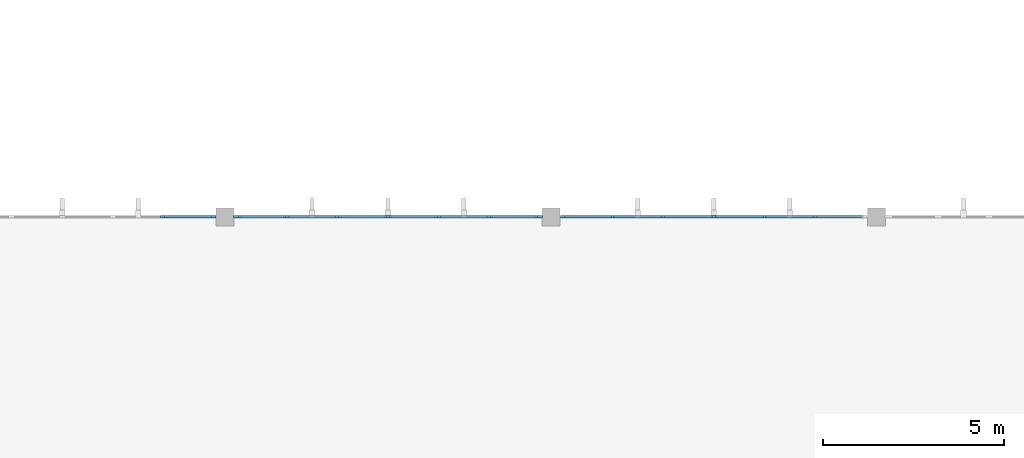
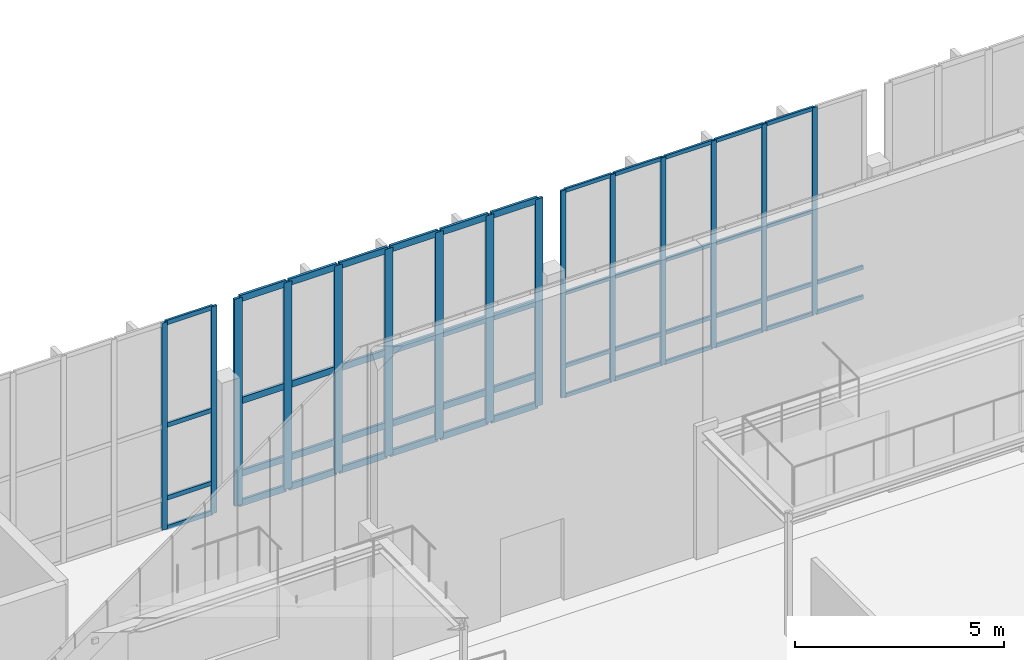
# One storey, part 25 of 67: 65 members, 3 elements without a shape of their own.
"""IFC4 building model written with IfcOpenShell, lengths in metres."""

from ifc_helpers import new_model, si_unit, direction, frame, origin, origin_2d, place, context, subcontext, project, spatial, rectangle, extrude, material, material_profile, profile_set, type_object, element, aggregate, save


model = new_model("IFC4")

# Units and contexts
model_context = context("Model", 3, precision=1e-05, world=origin(), true_north=direction((0.0, 1.0)))
body_context = subcontext(model_context, "Body", "Model", "MODEL_VIEW")
ifc_project = project(units=[si_unit("LENGTHUNIT", "METRE"), si_unit("AREAUNIT", "SQUARE_METRE"), si_unit("VOLUMEUNIT", "CUBIC_METRE"), si_unit("PLANEANGLEUNIT", "RADIAN"), si_unit("MASSUNIT", "GRAM", prefix="KILO")], contexts=[model_context])

# Site, building, storey
site_placement = place(None, origin())
site = spatial("IfcSite", under=ifc_project, at=site_placement, CompositionType="ELEMENT")
building_placement = place(site_placement, origin())
building = spatial("IfcBuilding", under=site, at=building_placement, Name="Tizgana Railside Sports Hall", CompositionType="ELEMENT")
storey_placement = place(building_placement, frame((0.0, 0.0, 12.0)))
storey = spatial("IfcBuildingStorey", under=building, at=storey_placement, Name="L02", CompositionType="ELEMENT", Elevation=12.0)

# Curtain wall, members
ifc_material_1 = material(Name="Anodised aluminium and glass", Category="aluminium")
curtain_wall_type_1 = type_object("IfcCurtainWallType", Name="Unitised Curtain Wall Concourse 1500", PredefinedType="NOTDEFINED", material=ifc_material_1)
curtain_wall_1_placement = place(storey_placement, origin())
curtain_wall_1 = element("IfcCurtainWall", 1, at=curtain_wall_1_placement, inside=storey, type_object=curtain_wall_type_1, Name="L02 Curtain Wall CW-0024", PredefinedType="NOTDEFINED")
ifc_material_2 = material(Name="Anodised aluminium", Category="aluminium")
ifc_material_profile_1 = material_profile(ifc_material_2, rectangle(XDim=0.06005859375, YDim=0.139892578125, at=origin_2d()), Name="Mullion 60x140")
ifc_profile_set_1 = profile_set([ifc_material_profile_1], Name="Anodised aluminium")
member_type_1 = type_object("IfcMemberType", Name="Mullion 60x140", PredefinedType="MULLION", material=ifc_profile_set_1)
member_1_placement = place(storey_placement, frame((107.135009765625, 80.39990234375, 0.0), z_axis=(0.0, 0.0, 1.0), x_axis=(0.0, 1.0, 0.0)))
member_1 = element("IfcMember", 2, at=member_1_placement, type_object=member_type_1, Name="CW-01 mullion 1", PredefinedType="MULLION", context=body_context, shape_type="SweptSolid", body=[
    extrude(rectangle(XDim=0.06005859375, YDim=0.139892578125, at=origin_2d()), origin(), (0.0, 0.0, 1.0), 6.06005859375),
])
member_2_placement = place(storey_placement, frame((108.50341796875, 80.39990234375, 0.0), z_axis=(0.0, 0.0, 1.0), x_axis=(0.0, 1.0, 0.0)))
member_2 = element("IfcMember", 3, at=member_2_placement, type_object=member_type_1, Name="CW-01 mullion 2", PredefinedType="MULLION", context=body_context, shape_type="SweptSolid", body=[
    extrude(rectangle(XDim=0.06005859375, YDim=0.139892578125, at=origin_2d()), origin(), (0.0, 0.0, 1.0), 6.06005859375),
])
member_3_placement = place(storey_placement, frame((109.901611328125, 80.39990234375, 0.0), z_axis=(0.0, 0.0, 1.0), x_axis=(0.0, 1.0, 0.0)))
member_3 = element("IfcMember", 4, at=member_3_placement, type_object=member_type_1, Name="CW-01 mullion 3", PredefinedType="MULLION", context=body_context, shape_type="SweptSolid", body=[
    extrude(rectangle(XDim=0.06005859375, YDim=0.139892578125, at=origin_2d()), origin(), (0.0, 0.0, 1.0), 6.06005859375),
])
member_4_placement = place(storey_placement, frame((111.300048828125, 80.39990234375, 0.0), z_axis=(0.0, 0.0, 1.0), x_axis=(0.0, 1.0, 0.0)))
member_4 = element("IfcMember", 5, at=member_4_placement, type_object=member_type_1, Name="CW-01 mullion 4", PredefinedType="MULLION", context=body_context, shape_type="SweptSolid", body=[
    extrude(rectangle(XDim=0.06005859375, YDim=0.139892578125, at=origin_2d()), origin(), (0.0, 0.0, 1.0), 6.06005859375),
])
member_5_placement = place(storey_placement, frame((112.6982421875, 80.39990234375, 0.0), z_axis=(0.0, 0.0, 1.0), x_axis=(0.0, 1.0, 0.0)))
member_5 = element("IfcMember", 6, at=member_5_placement, type_object=member_type_1, Name="CW-01 mullion 5", PredefinedType="MULLION", context=body_context, shape_type="SweptSolid", body=[
    extrude(rectangle(XDim=0.06005859375, YDim=0.139892578125, at=origin_2d()), origin(), (0.0, 0.0, 1.0), 6.06005859375),
])
member_6_placement = place(storey_placement, frame((114.0966796875, 80.39990234375, 0.0), z_axis=(0.0, 0.0, 1.0), x_axis=(0.0, 1.0, 0.0)))
member_6 = element("IfcMember", 7, at=member_6_placement, type_object=member_type_1, Name="CW-01 mullion 6", PredefinedType="MULLION", context=body_context, shape_type="SweptSolid", body=[
    extrude(rectangle(XDim=0.06005859375, YDim=0.139892578125, at=origin_2d()), origin(), (0.0, 0.0, 1.0), 6.06005859375),
])

curtain_wall_type_2 = type_object("IfcCurtainWallType", Name="Unitised Curtain Wall Climbing 1600", PredefinedType="NOTDEFINED", material=ifc_material_1)
curtain_wall_2_placement = place(storey_placement, origin())
curtain_wall_2 = element("IfcCurtainWall", 8, at=curtain_wall_2_placement, inside=storey, type_object=curtain_wall_type_2, Name="L02 Curtain Wall CW-0019", PredefinedType="NOTDEFINED")
ifc_material_profile_2 = material_profile(ifc_material_2, rectangle(XDim=0.06005859375, YDim=0.159912109375, at=origin_2d()), Name="Mullion 60x160")
ifc_profile_set_2 = profile_set([ifc_material_profile_2], Name="Anodised aluminium")
member_type_2 = type_object("IfcMemberType", Name="Mullion 60x160", PredefinedType="MULLION", material=ifc_profile_set_2)
member_7_placement = place(storey_placement, frame((96.0966796875, 80.39990234375, 0.0), z_axis=(0.0, 0.0, 1.0), x_axis=(0.0, 1.0, 0.0)))
member_7 = element("IfcMember", 9, at=member_7_placement, type_object=member_type_2, Name="CW-04 mullion 6", PredefinedType="MULLION", context=body_context, shape_type="SweptSolid", body=[
    extrude(rectangle(XDim=0.06005859375, YDim=0.159912109375, at=origin_2d()), origin(), (0.0, 0.0, 1.0), 6.06005859375),
])
member_8_placement = place(storey_placement, frame((97.465087890625, 80.39990234375, 0.0), z_axis=(0.0, 0.0, 1.0), x_axis=(0.0, 1.0, 0.0)))
member_8 = element("IfcMember", 10, at=member_8_placement, type_object=member_type_2, Name="CW-04 mullion 7", PredefinedType="MULLION", context=body_context, shape_type="SweptSolid", body=[
    extrude(rectangle(XDim=0.06005859375, YDim=0.159912109375, at=origin_2d()), origin(), (0.0, 0.0, 1.0), 6.06005859375),
])

curtain_wall_type_3 = type_object("IfcCurtainWallType", Name="Unitised Curtain Wall WestHall 1560", PredefinedType="NOTDEFINED", material=ifc_material_1)
curtain_wall_3_placement = place(storey_placement, origin())
curtain_wall_3 = element("IfcCurtainWall", 11, at=curtain_wall_3_placement, inside=storey, type_object=curtain_wall_type_3, Name="L02 Curtain Wall CW-0022", PredefinedType="NOTDEFINED")
ifc_material_profile_3 = material_profile(ifc_material_2, rectangle(XDim=0.070068359375, YDim=0.219970703125, at=origin_2d()), Name="Mullion 70x220")
ifc_profile_set_3 = profile_set([ifc_material_profile_3], Name="Anodised aluminium")
member_type_3 = type_object("IfcMemberType", Name="Mullion 70x220", PredefinedType="MULLION", material=ifc_profile_set_3)
member_9_placement = place(storey_placement, frame((98.139892578125, 80.39990234375, 0.0), z_axis=(0.0, 0.0, 1.0), x_axis=(0.0, 1.0, 0.0)))
member_9 = element("IfcMember", 12, at=member_9_placement, type_object=member_type_3, Name="CW-07 mullion 1", PredefinedType="MULLION", context=body_context, shape_type="SweptSolid", body=[
    extrude(rectangle(XDim=0.070068359375, YDim=0.219970703125, at=origin_2d()), origin(), (0.0, 0.0, 1.0), 6.06005859375),
])
member_10_placement = place(storey_placement, frame((99.50341796875, 80.39990234375, 0.0), z_axis=(0.0, 0.0, 1.0), x_axis=(0.0, 1.0, 0.0)))
member_10 = element("IfcMember", 13, at=member_10_placement, type_object=member_type_3, Name="CW-07 mullion 2", PredefinedType="MULLION", context=body_context, shape_type="SweptSolid", body=[
    extrude(rectangle(XDim=0.070068359375, YDim=0.219970703125, at=origin_2d()), origin(), (0.0, 0.0, 1.0), 6.06005859375),
])
member_11_placement = place(storey_placement, frame((100.901611328125, 80.39990234375, 0.0), z_axis=(0.0, 0.0, 1.0), x_axis=(0.0, 1.0, 0.0)))
member_11 = element("IfcMember", 14, at=member_11_placement, type_object=member_type_3, Name="CW-07 mullion 3", PredefinedType="MULLION", context=body_context, shape_type="SweptSolid", body=[
    extrude(rectangle(XDim=0.070068359375, YDim=0.219970703125, at=origin_2d()), origin(), (0.0, 0.0, 1.0), 6.06005859375),
])
member_12_placement = place(storey_placement, frame((102.300048828125, 80.39990234375, 0.0), z_axis=(0.0, 0.0, 1.0), x_axis=(0.0, 1.0, 0.0)))
member_12 = element("IfcMember", 15, at=member_12_placement, type_object=member_type_3, Name="CW-07 mullion 4", PredefinedType="MULLION", context=body_context, shape_type="SweptSolid", body=[
    extrude(rectangle(XDim=0.070068359375, YDim=0.219970703125, at=origin_2d()), origin(), (0.0, 0.0, 1.0), 6.06005859375),
])
member_13_placement = place(storey_placement, frame((103.6982421875, 80.39990234375, 0.0), z_axis=(0.0, 0.0, 1.0), x_axis=(0.0, 1.0, 0.0)))
member_13 = element("IfcMember", 16, at=member_13_placement, type_object=member_type_3, Name="CW-07 mullion 5", PredefinedType="MULLION", context=body_context, shape_type="SweptSolid", body=[
    extrude(rectangle(XDim=0.070068359375, YDim=0.219970703125, at=origin_2d()), origin(), (0.0, 0.0, 1.0), 6.06005859375),
])
member_14_placement = place(storey_placement, frame((105.0966796875, 80.39990234375, 0.0), z_axis=(0.0, 0.0, 1.0), x_axis=(0.0, 1.0, 0.0)))
member_14 = element("IfcMember", 17, at=member_14_placement, type_object=member_type_3, Name="CW-07 mullion 6", PredefinedType="MULLION", context=body_context, shape_type="SweptSolid", body=[
    extrude(rectangle(XDim=0.070068359375, YDim=0.219970703125, at=origin_2d()), origin(), (0.0, 0.0, 1.0), 6.06005859375),
])
member_15_placement = place(storey_placement, frame((106.4599609375, 80.39990234375, 0.0), z_axis=(0.0, 0.0, 1.0), x_axis=(0.0, 1.0, 0.0)))
member_15 = element("IfcMember", 18, at=member_15_placement, type_object=member_type_3, Name="CW-07 mullion 7", PredefinedType="MULLION", context=body_context, shape_type="SweptSolid", body=[
    extrude(rectangle(XDim=0.070068359375, YDim=0.219970703125, at=origin_2d()), origin(), (0.0, 0.0, 1.0), 6.06005859375),
])

# Member
ifc_material_profile_4 = material_profile(ifc_material_2, rectangle(XDim=0.06005859375, YDim=0.110107421875, at=origin_2d()), Name="Transom 60x110")
ifc_profile_set_4 = profile_set([ifc_material_profile_4], Name="Anodised aluminium")
member_type_4 = type_object("IfcMemberType", Name="Transom 60x110", PredefinedType="USERDEFINED", material=ifc_profile_set_4)
member_16_placement = place(storey_placement, frame((107.1650390625, 80.39990234375, 0.030029296875), z_axis=(1.0, 0.0, 0.0), x_axis=(0.0, 1.0, 0.0)))
member_16 = element("IfcMember", 19, at=member_16_placement, type_object=member_type_4, Name="CW-01 transom 1.1", ObjectType="TRANSOM", PredefinedType="USERDEFINED", context=body_context, shape_type="SweptSolid", body=[
    extrude(rectangle(XDim=0.06005859375, YDim=0.110107421875, at=origin_2d()), origin(), (0.0, 0.0, 1.0), 1.308349609375),
])

member_17_placement = place(storey_placement, frame((107.1650390625, 80.39990234375, 0.89990234375), z_axis=(1.0, 0.0, 0.0), x_axis=(0.0, 1.0, 0.0)))
member_17 = element("IfcMember", 20, at=member_17_placement, type_object=member_type_4, Name="CW-01 transom 1.2", ObjectType="TRANSOM", PredefinedType="USERDEFINED", context=body_context, shape_type="SweptSolid", body=[
    extrude(rectangle(XDim=0.06005859375, YDim=0.110107421875, at=origin_2d()), origin(), (0.0, 0.0, 1.0), 1.308349609375),
])

member_18_placement = place(storey_placement, frame((107.1650390625, 80.39990234375, 3.030029296875), z_axis=(1.0, 0.0, 0.0), x_axis=(0.0, 1.0, 0.0)))
member_18 = element("IfcMember", 21, at=member_18_placement, type_object=member_type_4, Name="CW-01 transom 1.3", ObjectType="TRANSOM", PredefinedType="USERDEFINED", context=body_context, shape_type="SweptSolid", body=[
    extrude(rectangle(XDim=0.06005859375, YDim=0.110107421875, at=origin_2d()), origin(), (0.0, 0.0, 1.0), 1.308349609375),
])

member_19_placement = place(storey_placement, frame((107.1650390625, 80.39990234375, 6.030029296875), z_axis=(1.0, 0.0, 0.0), x_axis=(0.0, 1.0, 0.0)))
member_19 = element("IfcMember", 22, at=member_19_placement, type_object=member_type_4, Name="CW-01 transom 1.4", ObjectType="TRANSOM", PredefinedType="USERDEFINED", context=body_context, shape_type="SweptSolid", body=[
    extrude(rectangle(XDim=0.06005859375, YDim=0.110107421875, at=origin_2d()), origin(), (0.0, 0.0, 1.0), 1.308349609375),
])

member_20_placement = place(storey_placement, frame((108.533447265625, 80.39990234375, 0.030029296875), z_axis=(1.0, 0.0, 0.0), x_axis=(0.0, 1.0, 0.0)))
member_20 = element("IfcMember", 23, at=member_20_placement, type_object=member_type_4, Name="CW-01 transom 2.1", ObjectType="TRANSOM", PredefinedType="USERDEFINED", context=body_context, shape_type="SweptSolid", body=[
    extrude(rectangle(XDim=0.06005859375, YDim=0.110107421875, at=origin_2d()), origin(), (0.0, 0.0, 1.0), 1.338134765625),
])

member_21_placement = place(storey_placement, frame((108.533447265625, 80.39990234375, 0.89990234375), z_axis=(1.0, 0.0, 0.0), x_axis=(0.0, 1.0, 0.0)))
member_21 = element("IfcMember", 24, at=member_21_placement, type_object=member_type_4, Name="CW-01 transom 2.2", ObjectType="TRANSOM", PredefinedType="USERDEFINED", context=body_context, shape_type="SweptSolid", body=[
    extrude(rectangle(XDim=0.06005859375, YDim=0.110107421875, at=origin_2d()), origin(), (0.0, 0.0, 1.0), 1.338134765625),
])

member_22_placement = place(storey_placement, frame((108.533447265625, 80.39990234375, 3.030029296875), z_axis=(1.0, 0.0, 0.0), x_axis=(0.0, 1.0, 0.0)))
member_22 = element("IfcMember", 25, at=member_22_placement, type_object=member_type_4, Name="CW-01 transom 2.3", ObjectType="TRANSOM", PredefinedType="USERDEFINED", context=body_context, shape_type="SweptSolid", body=[
    extrude(rectangle(XDim=0.06005859375, YDim=0.110107421875, at=origin_2d()), origin(), (0.0, 0.0, 1.0), 1.338134765625),
])

member_23_placement = place(storey_placement, frame((108.533447265625, 80.39990234375, 6.030029296875), z_axis=(1.0, 0.0, 0.0), x_axis=(0.0, 1.0, 0.0)))
member_23 = element("IfcMember", 26, at=member_23_placement, type_object=member_type_4, Name="CW-01 transom 2.4", ObjectType="TRANSOM", PredefinedType="USERDEFINED", context=body_context, shape_type="SweptSolid", body=[
    extrude(rectangle(XDim=0.06005859375, YDim=0.110107421875, at=origin_2d()), origin(), (0.0, 0.0, 1.0), 1.338134765625),
])

member_24_placement = place(storey_placement, frame((109.931640625, 80.39990234375, 0.030029296875), z_axis=(1.0, 0.0, 0.0), x_axis=(0.0, 1.0, 0.0)))
member_24 = element("IfcMember", 27, at=member_24_placement, type_object=member_type_4, Name="CW-01 transom 3.1", ObjectType="TRANSOM", PredefinedType="USERDEFINED", context=body_context, shape_type="SweptSolid", body=[
    extrude(rectangle(XDim=0.06005859375, YDim=0.110107421875, at=origin_2d()), origin(), (0.0, 0.0, 1.0), 1.33837890625),
])

member_25_placement = place(storey_placement, frame((109.931640625, 80.39990234375, 0.89990234375), z_axis=(1.0, 0.0, 0.0), x_axis=(0.0, 1.0, 0.0)))
member_25 = element("IfcMember", 28, at=member_25_placement, type_object=member_type_4, Name="CW-01 transom 3.2", ObjectType="TRANSOM", PredefinedType="USERDEFINED", context=body_context, shape_type="SweptSolid", body=[
    extrude(rectangle(XDim=0.06005859375, YDim=0.110107421875, at=origin_2d()), origin(), (0.0, 0.0, 1.0), 1.33837890625),
])

member_26_placement = place(storey_placement, frame((109.931640625, 80.39990234375, 3.030029296875), z_axis=(1.0, 0.0, 0.0), x_axis=(0.0, 1.0, 0.0)))
member_26 = element("IfcMember", 29, at=member_26_placement, type_object=member_type_4, Name="CW-01 transom 3.3", ObjectType="TRANSOM", PredefinedType="USERDEFINED", context=body_context, shape_type="SweptSolid", body=[
    extrude(rectangle(XDim=0.06005859375, YDim=0.110107421875, at=origin_2d()), origin(), (0.0, 0.0, 1.0), 1.33837890625),
])

member_27_placement = place(storey_placement, frame((109.931640625, 80.39990234375, 6.030029296875), z_axis=(1.0, 0.0, 0.0), x_axis=(0.0, 1.0, 0.0)))
member_27 = element("IfcMember", 30, at=member_27_placement, type_object=member_type_4, Name="CW-01 transom 3.4", ObjectType="TRANSOM", PredefinedType="USERDEFINED", context=body_context, shape_type="SweptSolid", body=[
    extrude(rectangle(XDim=0.06005859375, YDim=0.110107421875, at=origin_2d()), origin(), (0.0, 0.0, 1.0), 1.33837890625),
])

member_28_placement = place(storey_placement, frame((111.330078125, 80.39990234375, 0.030029296875), z_axis=(1.0, 0.0, 0.0), x_axis=(0.0, 1.0, 0.0)))
member_28 = element("IfcMember", 31, at=member_28_placement, type_object=member_type_4, Name="CW-01 transom 4.1", ObjectType="TRANSOM", PredefinedType="USERDEFINED", context=body_context, shape_type="SweptSolid", body=[
    extrude(rectangle(XDim=0.06005859375, YDim=0.110107421875, at=origin_2d()), origin(), (0.0, 0.0, 1.0), 1.338134765625),
])

member_29_placement = place(storey_placement, frame((111.330078125, 80.39990234375, 0.89990234375), z_axis=(1.0, 0.0, 0.0), x_axis=(0.0, 1.0, 0.0)))
member_29 = element("IfcMember", 32, at=member_29_placement, type_object=member_type_4, Name="CW-01 transom 4.2", ObjectType="TRANSOM", PredefinedType="USERDEFINED", context=body_context, shape_type="SweptSolid", body=[
    extrude(rectangle(XDim=0.06005859375, YDim=0.110107421875, at=origin_2d()), origin(), (0.0, 0.0, 1.0), 1.338134765625),
])

member_30_placement = place(storey_placement, frame((111.330078125, 80.39990234375, 3.030029296875), z_axis=(1.0, 0.0, 0.0), x_axis=(0.0, 1.0, 0.0)))
member_30 = element("IfcMember", 33, at=member_30_placement, type_object=member_type_4, Name="CW-01 transom 4.3", ObjectType="TRANSOM", PredefinedType="USERDEFINED", context=body_context, shape_type="SweptSolid", body=[
    extrude(rectangle(XDim=0.06005859375, YDim=0.110107421875, at=origin_2d()), origin(), (0.0, 0.0, 1.0), 1.338134765625),
])

member_31_placement = place(storey_placement, frame((111.330078125, 80.39990234375, 6.030029296875), z_axis=(1.0, 0.0, 0.0), x_axis=(0.0, 1.0, 0.0)))
member_31 = element("IfcMember", 34, at=member_31_placement, type_object=member_type_4, Name="CW-01 transom 4.4", ObjectType="TRANSOM", PredefinedType="USERDEFINED", context=body_context, shape_type="SweptSolid", body=[
    extrude(rectangle(XDim=0.06005859375, YDim=0.110107421875, at=origin_2d()), origin(), (0.0, 0.0, 1.0), 1.338134765625),
])

member_32_placement = place(storey_placement, frame((112.728271484375, 80.39990234375, 0.030029296875), z_axis=(1.0, 0.0, 0.0), x_axis=(0.0, 1.0, 0.0)))
member_32 = element("IfcMember", 35, at=member_32_placement, type_object=member_type_4, Name="CW-01 transom 5.1", ObjectType="TRANSOM", PredefinedType="USERDEFINED", context=body_context, shape_type="SweptSolid", body=[
    extrude(rectangle(XDim=0.06005859375, YDim=0.110107421875, at=origin_2d()), origin(), (0.0, 0.0, 1.0), 1.33837890625),
])

member_33_placement = place(storey_placement, frame((112.728271484375, 80.39990234375, 0.89990234375), z_axis=(1.0, 0.0, 0.0), x_axis=(0.0, 1.0, 0.0)))
member_33 = element("IfcMember", 36, at=member_33_placement, type_object=member_type_4, Name="CW-01 transom 5.2", ObjectType="TRANSOM", PredefinedType="USERDEFINED", context=body_context, shape_type="SweptSolid", body=[
    extrude(rectangle(XDim=0.06005859375, YDim=0.110107421875, at=origin_2d()), origin(), (0.0, 0.0, 1.0), 1.33837890625),
])

member_34_placement = place(storey_placement, frame((112.728271484375, 80.39990234375, 3.030029296875), z_axis=(1.0, 0.0, 0.0), x_axis=(0.0, 1.0, 0.0)))
member_34 = element("IfcMember", 37, at=member_34_placement, type_object=member_type_4, Name="CW-01 transom 5.3", ObjectType="TRANSOM", PredefinedType="USERDEFINED", context=body_context, shape_type="SweptSolid", body=[
    extrude(rectangle(XDim=0.06005859375, YDim=0.110107421875, at=origin_2d()), origin(), (0.0, 0.0, 1.0), 1.33837890625),
])

member_35_placement = place(storey_placement, frame((112.728271484375, 80.39990234375, 6.030029296875), z_axis=(1.0, 0.0, 0.0), x_axis=(0.0, 1.0, 0.0)))
member_35 = element("IfcMember", 38, at=member_35_placement, type_object=member_type_4, Name="CW-01 transom 5.4", ObjectType="TRANSOM", PredefinedType="USERDEFINED", context=body_context, shape_type="SweptSolid", body=[
    extrude(rectangle(XDim=0.06005859375, YDim=0.110107421875, at=origin_2d()), origin(), (0.0, 0.0, 1.0), 1.33837890625),
])

member_36_placement = place(storey_placement, frame((114.126708984375, 80.39990234375, 0.030029296875), z_axis=(1.0, 0.0, 0.0), x_axis=(0.0, 1.0, 0.0)))
member_36 = element("IfcMember", 39, at=member_36_placement, type_object=member_type_4, Name="CW-01 transom 6.1", ObjectType="TRANSOM", PredefinedType="USERDEFINED", context=body_context, shape_type="SweptSolid", body=[
    extrude(rectangle(XDim=0.06005859375, YDim=0.110107421875, at=origin_2d()), origin(), (0.0, 0.0, 1.0), 1.308349609375),
])

member_37_placement = place(storey_placement, frame((114.126708984375, 80.39990234375, 0.89990234375), z_axis=(1.0, 0.0, 0.0), x_axis=(0.0, 1.0, 0.0)))
member_37 = element("IfcMember", 40, at=member_37_placement, type_object=member_type_4, Name="CW-01 transom 6.2", ObjectType="TRANSOM", PredefinedType="USERDEFINED", context=body_context, shape_type="SweptSolid", body=[
    extrude(rectangle(XDim=0.06005859375, YDim=0.110107421875, at=origin_2d()), origin(), (0.0, 0.0, 1.0), 1.308349609375),
])

aggregate(curtain_wall_1, [member_1, member_2, member_3, member_4, member_5, member_6, member_16, member_17, member_18, member_19, member_20, member_21, member_22, member_23, member_24, member_25, member_26, member_27, member_28, member_29, member_30, member_31, member_32, member_33, member_34, member_35, member_36, member_37])

ifc_material_profile_5 = material_profile(ifc_material_2, rectangle(XDim=0.06005859375, YDim=0.1298828125, at=origin_2d()), Name="Transom 60x130")
ifc_profile_set_5 = profile_set([ifc_material_profile_5], Name="Anodised aluminium")
member_type_5 = type_object("IfcMemberType", Name="Transom 60x130", PredefinedType="USERDEFINED", material=ifc_profile_set_5)
member_38_placement = place(storey_placement, frame((96.126708984375, 80.39990234375, 0.030029296875), z_axis=(1.0, 0.0, 0.0), x_axis=(0.0, 1.0, 0.0)))
member_38 = element("IfcMember", 41, at=member_38_placement, type_object=member_type_5, Name="CW-04 transom 6.1", ObjectType="TRANSOM", PredefinedType="USERDEFINED", context=body_context, shape_type="SweptSolid", body=[
    extrude(rectangle(XDim=0.06005859375, YDim=0.1298828125, at=origin_2d()), origin(), (0.0, 0.0, 1.0), 1.308349609375),
])

member_39_placement = place(storey_placement, frame((96.126708984375, 80.39990234375, 0.89990234375), z_axis=(1.0, 0.0, 0.0), x_axis=(0.0, 1.0, 0.0)))
member_39 = element("IfcMember", 42, at=member_39_placement, type_object=member_type_5, Name="CW-04 transom 6.2", ObjectType="TRANSOM", PredefinedType="USERDEFINED", context=body_context, shape_type="SweptSolid", body=[
    extrude(rectangle(XDim=0.06005859375, YDim=0.1298828125, at=origin_2d()), origin(), (0.0, 0.0, 1.0), 1.308349609375),
])

member_40_placement = place(storey_placement, frame((96.126708984375, 80.39990234375, 3.030029296875), z_axis=(1.0, 0.0, 0.0), x_axis=(0.0, 1.0, 0.0)))
member_40 = element("IfcMember", 43, at=member_40_placement, type_object=member_type_5, Name="CW-04 transom 6.3", ObjectType="TRANSOM", PredefinedType="USERDEFINED", context=body_context, shape_type="SweptSolid", body=[
    extrude(rectangle(XDim=0.06005859375, YDim=0.1298828125, at=origin_2d()), origin(), (0.0, 0.0, 1.0), 1.308349609375),
])

member_41_placement = place(storey_placement, frame((96.126708984375, 80.39990234375, 6.030029296875), z_axis=(1.0, 0.0, 0.0), x_axis=(0.0, 1.0, 0.0)))
member_41 = element("IfcMember", 44, at=member_41_placement, type_object=member_type_5, Name="CW-04 transom 6.4", ObjectType="TRANSOM", PredefinedType="USERDEFINED", context=body_context, shape_type="SweptSolid", body=[
    extrude(rectangle(XDim=0.06005859375, YDim=0.1298828125, at=origin_2d()), origin(), (0.0, 0.0, 1.0), 1.308349609375),
])

aggregate(curtain_wall_2, [member_7, member_8, member_38, member_39, member_40, member_41])

ifc_material_profile_6 = material_profile(ifc_material_2, rectangle(XDim=0.070068359375, YDim=0.18994140625, at=origin_2d()), Name="Transom 70x190")
ifc_profile_set_6 = profile_set([ifc_material_profile_6], Name="Anodised aluminium")
member_type_6 = type_object("IfcMemberType", Name="Transom 70x190", PredefinedType="USERDEFINED", material=ifc_profile_set_6)
member_42_placement = place(storey_placement, frame((98.175048828125, 80.39990234375, 0.034912109375), z_axis=(1.0, 0.0, 0.0), x_axis=(0.0, 1.0, 0.0)))
member_42 = element("IfcMember", 45, at=member_42_placement, type_object=member_type_6, Name="CW-07 transom 1.1", ObjectType="TRANSOM", PredefinedType="USERDEFINED", context=body_context, shape_type="SweptSolid", body=[
    extrude(rectangle(XDim=0.070068359375, YDim=0.18994140625, at=origin_2d()), origin(), (0.0, 0.0, 1.0), 1.293212890625),
])

member_43_placement = place(storey_placement, frame((98.175048828125, 80.39990234375, 0.89990234375), z_axis=(1.0, 0.0, 0.0), x_axis=(0.0, 1.0, 0.0)))
member_43 = element("IfcMember", 46, at=member_43_placement, type_object=member_type_6, Name="CW-07 transom 1.2", ObjectType="TRANSOM", PredefinedType="USERDEFINED", context=body_context, shape_type="SweptSolid", body=[
    extrude(rectangle(XDim=0.070068359375, YDim=0.18994140625, at=origin_2d()), origin(), (0.0, 0.0, 1.0), 1.293212890625),
])

member_44_placement = place(storey_placement, frame((98.175048828125, 80.39990234375, 3.030029296875), z_axis=(1.0, 0.0, 0.0), x_axis=(0.0, 1.0, 0.0)))
member_44 = element("IfcMember", 47, at=member_44_placement, type_object=member_type_6, Name="CW-07 transom 1.3", ObjectType="TRANSOM", PredefinedType="USERDEFINED", context=body_context, shape_type="SweptSolid", body=[
    extrude(rectangle(XDim=0.070068359375, YDim=0.18994140625, at=origin_2d()), origin(), (0.0, 0.0, 1.0), 1.293212890625),
])

member_45_placement = place(storey_placement, frame((98.175048828125, 80.39990234375, 6.02490234375), z_axis=(1.0, 0.0, 0.0), x_axis=(0.0, 1.0, 0.0)))
member_45 = element("IfcMember", 48, at=member_45_placement, type_object=member_type_6, Name="CW-07 transom 1.4", ObjectType="TRANSOM", PredefinedType="USERDEFINED", context=body_context, shape_type="SweptSolid", body=[
    extrude(rectangle(XDim=0.070068359375, YDim=0.18994140625, at=origin_2d()), origin(), (0.0, 0.0, 1.0), 1.293212890625),
])

member_46_placement = place(storey_placement, frame((99.538330078125, 80.39990234375, 0.034912109375), z_axis=(1.0, 0.0, 0.0), x_axis=(0.0, 1.0, 0.0)))
member_46 = element("IfcMember", 49, at=member_46_placement, type_object=member_type_6, Name="CW-07 transom 2.1", ObjectType="TRANSOM", PredefinedType="USERDEFINED", context=body_context, shape_type="SweptSolid", body=[
    extrude(rectangle(XDim=0.070068359375, YDim=0.18994140625, at=origin_2d()), origin(), (0.0, 0.0, 1.0), 1.328369140625),
])

member_47_placement = place(storey_placement, frame((99.538330078125, 80.39990234375, 0.89990234375), z_axis=(1.0, 0.0, 0.0), x_axis=(0.0, 1.0, 0.0)))
member_47 = element("IfcMember", 50, at=member_47_placement, type_object=member_type_6, Name="CW-07 transom 2.2", ObjectType="TRANSOM", PredefinedType="USERDEFINED", context=body_context, shape_type="SweptSolid", body=[
    extrude(rectangle(XDim=0.070068359375, YDim=0.18994140625, at=origin_2d()), origin(), (0.0, 0.0, 1.0), 1.328369140625),
])

member_48_placement = place(storey_placement, frame((99.538330078125, 80.39990234375, 3.030029296875), z_axis=(1.0, 0.0, 0.0), x_axis=(0.0, 1.0, 0.0)))
member_48 = element("IfcMember", 51, at=member_48_placement, type_object=member_type_6, Name="CW-07 transom 2.3", ObjectType="TRANSOM", PredefinedType="USERDEFINED", context=body_context, shape_type="SweptSolid", body=[
    extrude(rectangle(XDim=0.070068359375, YDim=0.18994140625, at=origin_2d()), origin(), (0.0, 0.0, 1.0), 1.328369140625),
])

member_49_placement = place(storey_placement, frame((99.538330078125, 80.39990234375, 6.02490234375), z_axis=(1.0, 0.0, 0.0), x_axis=(0.0, 1.0, 0.0)))
member_49 = element("IfcMember", 52, at=member_49_placement, type_object=member_type_6, Name="CW-07 transom 2.4", ObjectType="TRANSOM", PredefinedType="USERDEFINED", context=body_context, shape_type="SweptSolid", body=[
    extrude(rectangle(XDim=0.070068359375, YDim=0.18994140625, at=origin_2d()), origin(), (0.0, 0.0, 1.0), 1.328369140625),
])

member_50_placement = place(storey_placement, frame((100.936767578125, 80.39990234375, 0.034912109375), z_axis=(1.0, 0.0, 0.0), x_axis=(0.0, 1.0, 0.0)))
member_50 = element("IfcMember", 53, at=member_50_placement, type_object=member_type_6, Name="CW-07 transom 3.1", ObjectType="TRANSOM", PredefinedType="USERDEFINED", context=body_context, shape_type="SweptSolid", body=[
    extrude(rectangle(XDim=0.070068359375, YDim=0.18994140625, at=origin_2d()), origin(), (0.0, 0.0, 1.0), 1.328125),
])

member_51_placement = place(storey_placement, frame((100.936767578125, 80.39990234375, 0.89990234375), z_axis=(1.0, 0.0, 0.0), x_axis=(0.0, 1.0, 0.0)))
member_51 = element("IfcMember", 54, at=member_51_placement, type_object=member_type_6, Name="CW-07 transom 3.2", ObjectType="TRANSOM", PredefinedType="USERDEFINED", context=body_context, shape_type="SweptSolid", body=[
    extrude(rectangle(XDim=0.070068359375, YDim=0.18994140625, at=origin_2d()), origin(), (0.0, 0.0, 1.0), 1.328125),
])

member_52_placement = place(storey_placement, frame((100.936767578125, 80.39990234375, 3.030029296875), z_axis=(1.0, 0.0, 0.0), x_axis=(0.0, 1.0, 0.0)))
member_52 = element("IfcMember", 55, at=member_52_placement, type_object=member_type_6, Name="CW-07 transom 3.3", ObjectType="TRANSOM", PredefinedType="USERDEFINED", context=body_context, shape_type="SweptSolid", body=[
    extrude(rectangle(XDim=0.070068359375, YDim=0.18994140625, at=origin_2d()), origin(), (0.0, 0.0, 1.0), 1.328125),
])

member_53_placement = place(storey_placement, frame((100.936767578125, 80.39990234375, 6.02490234375), z_axis=(1.0, 0.0, 0.0), x_axis=(0.0, 1.0, 0.0)))
member_53 = element("IfcMember", 56, at=member_53_placement, type_object=member_type_6, Name="CW-07 transom 3.4", ObjectType="TRANSOM", PredefinedType="USERDEFINED", context=body_context, shape_type="SweptSolid", body=[
    extrude(rectangle(XDim=0.070068359375, YDim=0.18994140625, at=origin_2d()), origin(), (0.0, 0.0, 1.0), 1.328125),
])

member_54_placement = place(storey_placement, frame((102.3349609375, 80.39990234375, 0.034912109375), z_axis=(1.0, 0.0, 0.0), x_axis=(0.0, 1.0, 0.0)))
member_54 = element("IfcMember", 57, at=member_54_placement, type_object=member_type_6, Name="CW-07 transom 4.1", ObjectType="TRANSOM", PredefinedType="USERDEFINED", context=body_context, shape_type="SweptSolid", body=[
    extrude(rectangle(XDim=0.070068359375, YDim=0.18994140625, at=origin_2d()), origin(), (0.0, 0.0, 1.0), 1.328369140625),
])

member_55_placement = place(storey_placement, frame((102.3349609375, 80.39990234375, 0.89990234375), z_axis=(1.0, 0.0, 0.0), x_axis=(0.0, 1.0, 0.0)))
member_55 = element("IfcMember", 58, at=member_55_placement, type_object=member_type_6, Name="CW-07 transom 4.2", ObjectType="TRANSOM", PredefinedType="USERDEFINED", context=body_context, shape_type="SweptSolid", body=[
    extrude(rectangle(XDim=0.070068359375, YDim=0.18994140625, at=origin_2d()), origin(), (0.0, 0.0, 1.0), 1.328369140625),
])

member_56_placement = place(storey_placement, frame((102.3349609375, 80.39990234375, 3.030029296875), z_axis=(1.0, 0.0, 0.0), x_axis=(0.0, 1.0, 0.0)))
member_56 = element("IfcMember", 59, at=member_56_placement, type_object=member_type_6, Name="CW-07 transom 4.3", ObjectType="TRANSOM", PredefinedType="USERDEFINED", context=body_context, shape_type="SweptSolid", body=[
    extrude(rectangle(XDim=0.070068359375, YDim=0.18994140625, at=origin_2d()), origin(), (0.0, 0.0, 1.0), 1.328369140625),
])

member_57_placement = place(storey_placement, frame((102.3349609375, 80.39990234375, 6.02490234375), z_axis=(1.0, 0.0, 0.0), x_axis=(0.0, 1.0, 0.0)))
member_57 = element("IfcMember", 60, at=member_57_placement, type_object=member_type_6, Name="CW-07 transom 4.4", ObjectType="TRANSOM", PredefinedType="USERDEFINED", context=body_context, shape_type="SweptSolid", body=[
    extrude(rectangle(XDim=0.070068359375, YDim=0.18994140625, at=origin_2d()), origin(), (0.0, 0.0, 1.0), 1.328369140625),
])

member_58_placement = place(storey_placement, frame((103.7333984375, 80.39990234375, 0.034912109375), z_axis=(1.0, 0.0, 0.0), x_axis=(0.0, 1.0, 0.0)))
member_58 = element("IfcMember", 61, at=member_58_placement, type_object=member_type_6, Name="CW-07 transom 5.1", ObjectType="TRANSOM", PredefinedType="USERDEFINED", context=body_context, shape_type="SweptSolid", body=[
    extrude(rectangle(XDim=0.070068359375, YDim=0.18994140625, at=origin_2d()), origin(), (0.0, 0.0, 1.0), 1.328369140625),
])

member_59_placement = place(storey_placement, frame((103.7333984375, 80.39990234375, 0.89990234375), z_axis=(1.0, 0.0, 0.0), x_axis=(0.0, 1.0, 0.0)))
member_59 = element("IfcMember", 62, at=member_59_placement, type_object=member_type_6, Name="CW-07 transom 5.2", ObjectType="TRANSOM", PredefinedType="USERDEFINED", context=body_context, shape_type="SweptSolid", body=[
    extrude(rectangle(XDim=0.070068359375, YDim=0.18994140625, at=origin_2d()), origin(), (0.0, 0.0, 1.0), 1.328369140625),
])

member_60_placement = place(storey_placement, frame((103.7333984375, 80.39990234375, 3.030029296875), z_axis=(1.0, 0.0, 0.0), x_axis=(0.0, 1.0, 0.0)))
member_60 = element("IfcMember", 63, at=member_60_placement, type_object=member_type_6, Name="CW-07 transom 5.3", ObjectType="TRANSOM", PredefinedType="USERDEFINED", context=body_context, shape_type="SweptSolid", body=[
    extrude(rectangle(XDim=0.070068359375, YDim=0.18994140625, at=origin_2d()), origin(), (0.0, 0.0, 1.0), 1.328369140625),
])

member_61_placement = place(storey_placement, frame((103.7333984375, 80.39990234375, 6.02490234375), z_axis=(1.0, 0.0, 0.0), x_axis=(0.0, 1.0, 0.0)))
member_61 = element("IfcMember", 64, at=member_61_placement, type_object=member_type_6, Name="CW-07 transom 5.4", ObjectType="TRANSOM", PredefinedType="USERDEFINED", context=body_context, shape_type="SweptSolid", body=[
    extrude(rectangle(XDim=0.070068359375, YDim=0.18994140625, at=origin_2d()), origin(), (0.0, 0.0, 1.0), 1.328369140625),
])

member_62_placement = place(storey_placement, frame((105.131591796875, 80.39990234375, 0.034912109375), z_axis=(1.0, 0.0, 0.0), x_axis=(0.0, 1.0, 0.0)))
member_62 = element("IfcMember", 65, at=member_62_placement, type_object=member_type_6, Name="CW-07 transom 6.1", ObjectType="TRANSOM", PredefinedType="USERDEFINED", context=body_context, shape_type="SweptSolid", body=[
    extrude(rectangle(XDim=0.070068359375, YDim=0.18994140625, at=origin_2d()), origin(), (0.0, 0.0, 1.0), 1.29345703125),
])

member_63_placement = place(storey_placement, frame((105.131591796875, 80.39990234375, 0.89990234375), z_axis=(1.0, 0.0, 0.0), x_axis=(0.0, 1.0, 0.0)))
member_63 = element("IfcMember", 66, at=member_63_placement, type_object=member_type_6, Name="CW-07 transom 6.2", ObjectType="TRANSOM", PredefinedType="USERDEFINED", context=body_context, shape_type="SweptSolid", body=[
    extrude(rectangle(XDim=0.070068359375, YDim=0.18994140625, at=origin_2d()), origin(), (0.0, 0.0, 1.0), 1.29345703125),
])

member_64_placement = place(storey_placement, frame((105.131591796875, 80.39990234375, 3.030029296875), z_axis=(1.0, 0.0, 0.0), x_axis=(0.0, 1.0, 0.0)))
member_64 = element("IfcMember", 67, at=member_64_placement, type_object=member_type_6, Name="CW-07 transom 6.3", ObjectType="TRANSOM", PredefinedType="USERDEFINED", context=body_context, shape_type="SweptSolid", body=[
    extrude(rectangle(XDim=0.070068359375, YDim=0.18994140625, at=origin_2d()), origin(), (0.0, 0.0, 1.0), 1.29345703125),
])

member_65_placement = place(storey_placement, frame((105.131591796875, 80.39990234375, 6.02490234375), z_axis=(1.0, 0.0, 0.0), x_axis=(0.0, 1.0, 0.0)))
member_65 = element("IfcMember", 68, at=member_65_placement, type_object=member_type_6, Name="CW-07 transom 6.4", ObjectType="TRANSOM", PredefinedType="USERDEFINED", context=body_context, shape_type="SweptSolid", body=[
    extrude(rectangle(XDim=0.070068359375, YDim=0.18994140625, at=origin_2d()), origin(), (0.0, 0.0, 1.0), 1.29345703125),
])

aggregate(curtain_wall_3, [member_9, member_10, member_11, member_12, member_13, member_14, member_15, member_42, member_43, member_44, member_45, member_46, member_47, member_48, member_49, member_50, member_51, member_52, member_53, member_54, member_55, member_56, member_57, member_58, member_59, member_60, member_61, member_62, member_63, member_64, member_65])

save(model, "model.ifc")
